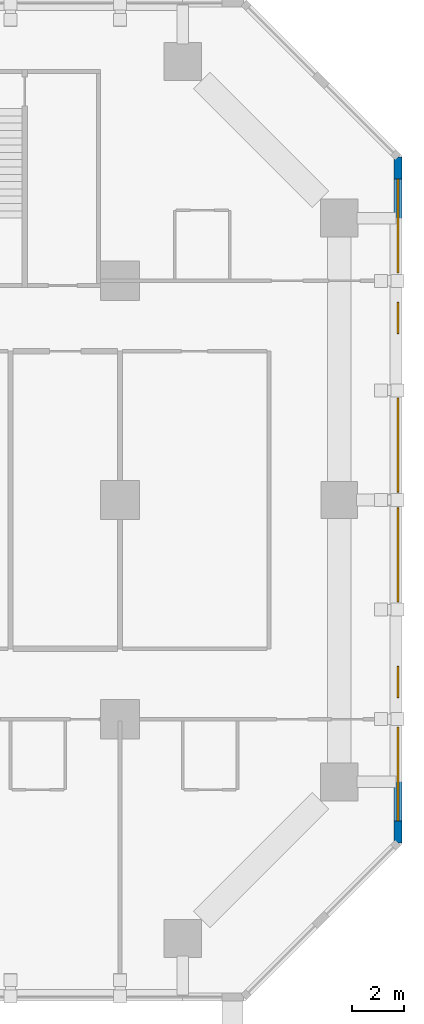
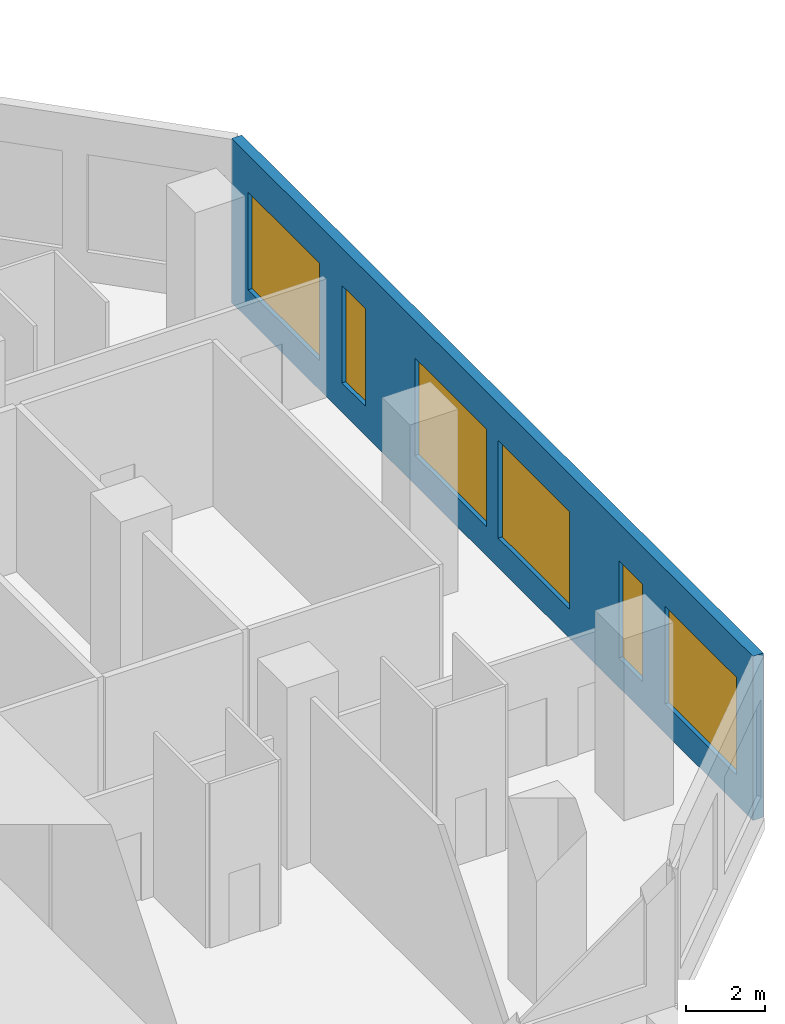
# One storey, part 14 of 24: 6 windows, 1 wall, 6 openings.
"""IFC4 building model written with IfcOpenShell, lengths in metres."""

from ifc_helpers import new_model, si_unit, direction, frame, frame_2d, origin, place, context, subcontext, project, spatial, rectangle, extrude, material, layer, layer_set, type_object, element, fill, save


model = new_model("IFC4")

# Units and contexts
model_context = context("Model", 3, precision=1e-05, world=origin(), true_north=direction((0.0, 1.0)))
body_context = subcontext(model_context, "Body", "Model", "MODEL_VIEW")
ifc_project = project(units=[si_unit("LENGTHUNIT", "METRE"), si_unit("AREAUNIT", "SQUARE_METRE"), si_unit("VOLUMEUNIT", "CUBIC_METRE"), si_unit("PLANEANGLEUNIT", "RADIAN"), si_unit("MASSUNIT", "GRAM", prefix="KILO")], contexts=[model_context])

# Site, building, storey
site_placement = place(None, origin())
site = spatial("IfcSite", under=ifc_project, at=site_placement, CompositionType="ELEMENT")
building_placement = place(site_placement, origin())
building = spatial("IfcBuilding", under=site, at=building_placement, Name="Kawkab Arch Medical Tower", CompositionType="ELEMENT")
storey_placement = place(building_placement, frame((0.0, 0.0, 18.199951171875)))
storey = spatial("IfcBuildingStorey", under=building, at=storey_placement, Name="L04", CompositionType="ELEMENT", Elevation=18.199951171875)

# Wall, openings, windows
ifc_material_1 = material(Name="Bronze clad insulated wall panel")
ifc_layer = layer(ifc_material_1, 0.300048828125)
ifc_layer_set = layer_set([ifc_layer], Name="Bronze clad insulated wall panel")
wall_type = type_object("IfcWallType", Name="Podium external wall 300", PredefinedType="SOLIDWALL", material=ifc_layer_set)
wall_placement = place(storey_placement, frame((94.64990234375, -29.93798828125, 0.0), z_axis=(0.0, 0.0, 1.0), x_axis=(0.0, 1.0, 0.0)))
wall = element("IfcWall", 1, at=wall_placement, inside=storey, type_object=wall_type, Name="Podium external wall L04 R11", PredefinedType="SOLIDWALL", context=body_context, shape_type="SweptSolid", body=[
    extrude(rectangle(XDim=26.27587890625, YDim=0.300048828125, at=frame_2d((13.137939453125, 0.0))), origin(), (0.0, 0.0, 1.0), 5.050048828125),
])
opening_1_placement = place(wall_placement, frame((0.837890625, 0.0, 0.89990234375)))
opening_1 = element("IfcOpeningElement", 2, at=opening_1_placement, cuts=wall, Name="Opening PBW360-30-S9", PredefinedType="OPENING", context=body_context, shape_type="SweptSolid", body=[
    extrude(rectangle(XDim=3.60009765625, YDim=3.0, at=frame_2d((1.800048828125, 1.5))), frame((0.0, 0.159912109375, 0.0), z_axis=(0.0, -1.0, 0.0), x_axis=(1.0, 0.0, 0.0)), (0.0, 0.0, 1.0), 0.320068359375),
])
opening_2_placement = place(wall_placement, frame((5.56298828125, 0.0, 0.89990234375)))
opening_2 = element("IfcOpeningElement", 3, at=opening_2_placement, cuts=wall, Name="Opening PBW120-30-S9", PredefinedType="OPENING", context=body_context, shape_type="SweptSolid", body=[
    extrude(rectangle(XDim=1.199951171875, YDim=3.0, at=frame_2d((0.60009765625, 1.5))), frame((0.0, 0.159912109375, 0.0), z_axis=(0.0, -1.0, 0.0), x_axis=(1.0, 0.0, 0.0)), (0.0, 0.0, 1.0), 0.320068359375),
])
opening_3_placement = place(wall_placement, frame((9.23779296875, 0.0, 0.89990234375)))
opening_3 = element("IfcOpeningElement", 4, at=opening_3_placement, cuts=wall, Name="Opening PBW360-30-S9", PredefinedType="OPENING", context=body_context, shape_type="SweptSolid", body=[
    extrude(rectangle(XDim=3.60009765625, YDim=3.0, at=frame_2d((1.800048828125, 1.5))), frame((0.0, 0.159912109375, 0.0), z_axis=(0.0, -1.0, 0.0), x_axis=(1.0, 0.0, 0.0)), (0.0, 0.0, 1.0), 0.320068359375),
])
opening_4_placement = place(wall_placement, frame((13.43798828125, 0.0, 0.89990234375)))
opening_4 = element("IfcOpeningElement", 5, at=opening_4_placement, cuts=wall, Name="Opening PBW360-30-S9", PredefinedType="OPENING", context=body_context, shape_type="SweptSolid", body=[
    extrude(rectangle(XDim=3.60009765625, YDim=3.0, at=frame_2d((1.800048828125, 1.5))), frame((0.0, 0.159912109375, 0.0), z_axis=(0.0, -1.0, 0.0), x_axis=(1.0, 0.0, 0.0)), (0.0, 0.0, 1.0), 0.320068359375),
])
opening_5_placement = place(wall_placement, frame((19.512939453125, 0.0, 0.89990234375)))
opening_5 = element("IfcOpeningElement", 6, at=opening_5_placement, cuts=wall, Name="Opening PBW120-30-S9", PredefinedType="OPENING", context=body_context, shape_type="SweptSolid", body=[
    extrude(rectangle(XDim=1.199951171875, YDim=3.0, at=frame_2d((0.60009765625, 1.5))), frame((0.0, 0.159912109375, 0.0), z_axis=(0.0, -1.0, 0.0), x_axis=(1.0, 0.0, 0.0)), (0.0, 0.0, 1.0), 0.320068359375),
])
opening_6_placement = place(wall_placement, frame((21.837890625, 0.0, 0.89990234375)))
opening_6 = element("IfcOpeningElement", 7, at=opening_6_placement, cuts=wall, Name="Opening PBW360-30-S9", PredefinedType="OPENING", context=body_context, shape_type="SweptSolid", body=[
    extrude(rectangle(XDim=3.60009765625, YDim=3.0, at=frame_2d((1.800048828125, 1.5))), frame((0.0, 0.159912109375, 0.0), z_axis=(0.0, -1.0, 0.0), x_axis=(1.0, 0.0, 0.0)), (0.0, 0.0, 1.0), 0.320068359375),
])
ifc_material_2 = material(Name="Bronze anodised aluminium louvred window", Category="aluminium")
window_type_1 = type_object("IfcWindowType", Name="Podium band window 1200 x 3000 sill 900", PartitioningType="DOUBLE_PANEL_VERTICAL", PredefinedType="WINDOW", material=ifc_material_2)
window_1_placement = place(opening_2_placement, origin())
window_1 = element("IfcWindow", 8, at=window_1_placement, inside=storey, type_object=window_type_1, Name="Band window L04 R11.2", OverallHeight=3.0, OverallWidth=1.199951171875, PartitioningType="SINGLE_PANEL", PredefinedType="WINDOW", context=body_context, shape_type="SweptSolid", body=[
    extrude(rectangle(XDim=1.199951171875, YDim=3.0, at=frame_2d((0.60009765625, 1.5))), frame((0.0, 0.030029296875, 0.0), z_axis=(0.0, -1.0, 0.0), x_axis=(1.0, 0.0, 0.0)), (0.0, 0.0, 1.0), 0.06005859375),
])
fill(opening_2, window_1)
window_2_placement = place(opening_5_placement, origin())
window_2 = element("IfcWindow", 9, at=window_2_placement, inside=storey, type_object=window_type_1, Name="Band window L04 R11.5", OverallHeight=3.0, OverallWidth=1.199951171875, PartitioningType="SINGLE_PANEL", PredefinedType="WINDOW", context=body_context, shape_type="SweptSolid", body=[
    extrude(rectangle(XDim=1.199951171875, YDim=3.0, at=frame_2d((0.60009765625, 1.5))), frame((0.0, 0.030029296875, 0.0), z_axis=(0.0, -1.0, 0.0), x_axis=(1.0, 0.0, 0.0)), (0.0, 0.0, 1.0), 0.06005859375),
])
fill(opening_5, window_2)
ifc_material_3 = material(Name="Bronze anodised aluminium louvred window", Category="aluminium")
window_type_2 = type_object("IfcWindowType", Name="Podium band window 3600 x 3000 sill 900", PartitioningType="DOUBLE_PANEL_VERTICAL", PredefinedType="WINDOW", material=ifc_material_3)
window_3_placement = place(opening_1_placement, origin())
window_3 = element("IfcWindow", 10, at=window_3_placement, inside=storey, type_object=window_type_2, Name="Band window L04 R11.1", OverallHeight=3.0, OverallWidth=3.60009765625, PartitioningType="SINGLE_PANEL", PredefinedType="WINDOW", context=body_context, shape_type="SweptSolid", body=[
    extrude(rectangle(XDim=3.60009765625, YDim=3.0, at=frame_2d((1.800048828125, 1.5))), frame((0.0, 0.030029296875, 0.0), z_axis=(0.0, -1.0, 0.0), x_axis=(1.0, 0.0, 0.0)), (0.0, 0.0, 1.0), 0.06005859375),
])
fill(opening_1, window_3)
window_4_placement = place(opening_3_placement, origin())
window_4 = element("IfcWindow", 11, at=window_4_placement, inside=storey, type_object=window_type_2, Name="Band window L04 R11.3", OverallHeight=3.0, OverallWidth=3.60009765625, PartitioningType="SINGLE_PANEL", PredefinedType="WINDOW", context=body_context, shape_type="SweptSolid", body=[
    extrude(rectangle(XDim=3.60009765625, YDim=3.0, at=frame_2d((1.800048828125, 1.5))), frame((0.0, 0.030029296875, 0.0), z_axis=(0.0, -1.0, 0.0), x_axis=(1.0, 0.0, 0.0)), (0.0, 0.0, 1.0), 0.06005859375),
])
fill(opening_3, window_4)
window_5_placement = place(opening_4_placement, origin())
window_5 = element("IfcWindow", 12, at=window_5_placement, inside=storey, type_object=window_type_2, Name="Band window L04 R11.4", OverallHeight=3.0, OverallWidth=3.60009765625, PartitioningType="SINGLE_PANEL", PredefinedType="WINDOW", context=body_context, shape_type="SweptSolid", body=[
    extrude(rectangle(XDim=3.60009765625, YDim=3.0, at=frame_2d((1.800048828125, 1.5))), frame((0.0, 0.030029296875, 0.0), z_axis=(0.0, -1.0, 0.0), x_axis=(1.0, 0.0, 0.0)), (0.0, 0.0, 1.0), 0.06005859375),
])
fill(opening_4, window_5)
window_6_placement = place(opening_6_placement, origin())
window_6 = element("IfcWindow", 13, at=window_6_placement, inside=storey, type_object=window_type_2, Name="Band window L04 R11.6", OverallHeight=3.0, OverallWidth=3.60009765625, PartitioningType="SINGLE_PANEL", PredefinedType="WINDOW", context=body_context, shape_type="SweptSolid", body=[
    extrude(rectangle(XDim=3.60009765625, YDim=3.0, at=frame_2d((1.800048828125, 1.5))), frame((0.0, 0.030029296875, 0.0), z_axis=(0.0, -1.0, 0.0), x_axis=(1.0, 0.0, 0.0)), (0.0, 0.0, 1.0), 0.06005859375),
])
fill(opening_6, window_6)

save(model, "model.ifc")
